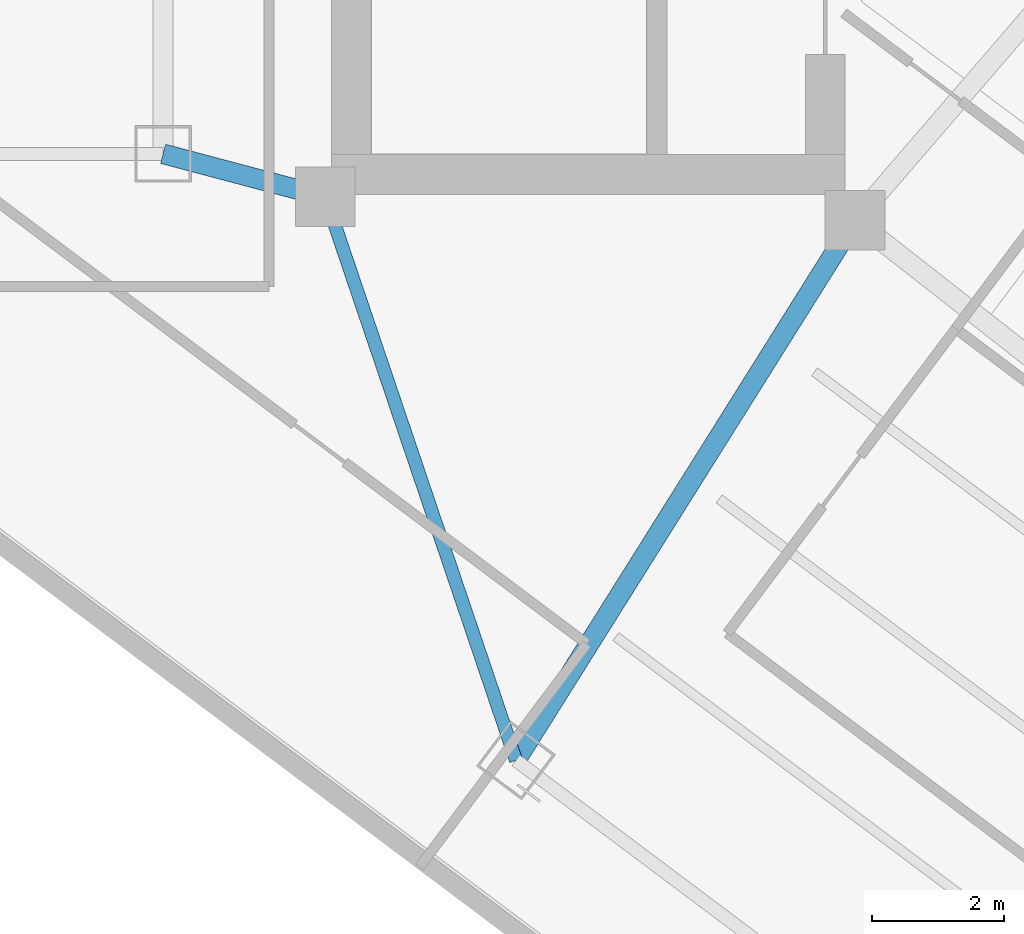
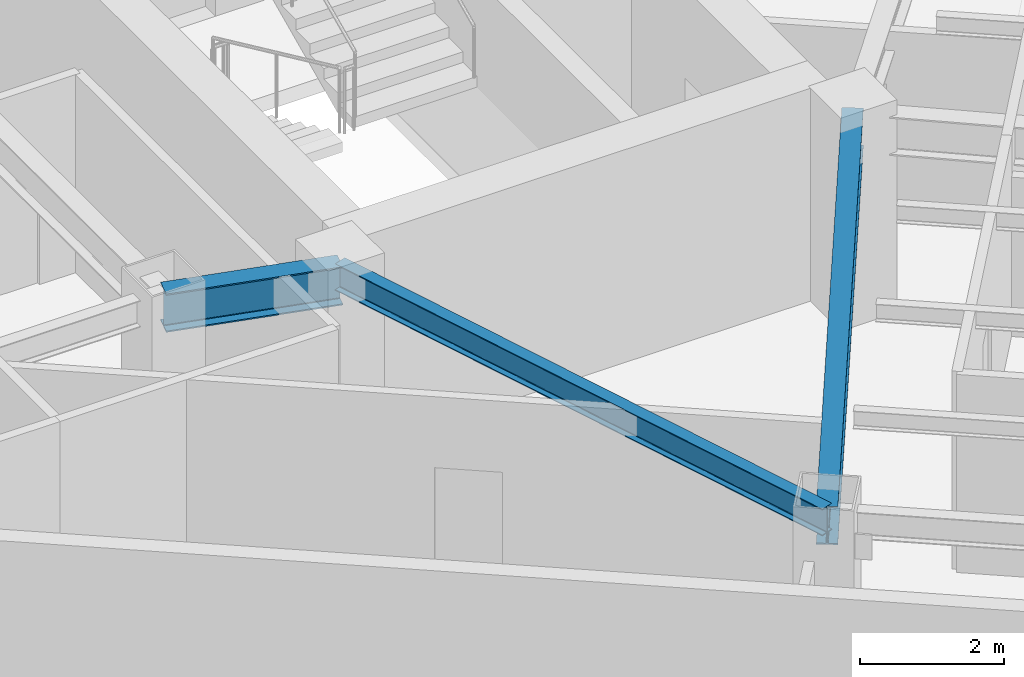
# One storey, part 3 of 27: 3 beams.
"""IFC4 building model written with IfcOpenShell, lengths in metres."""

from ifc_helpers import new_model, si_unit, direction, frame, origin, origin_2d, place, context, subcontext, project, spatial, i_section, extrude, material, material_profile, profile_set, type_object, element, save


model = new_model("IFC4")

# Units and contexts
model_context = context("Model", 3, precision=1e-05, world=origin(), true_north=direction((0.0, 1.0)))
body_context = subcontext(model_context, "Body", "Model", "MODEL_VIEW")
ifc_project = project(units=[si_unit("LENGTHUNIT", "METRE"), si_unit("AREAUNIT", "SQUARE_METRE"), si_unit("VOLUMEUNIT", "CUBIC_METRE"), si_unit("PLANEANGLEUNIT", "RADIAN"), si_unit("MASSUNIT", "GRAM", prefix="KILO")], contexts=[model_context])

# Site, building, storey
site_placement = place(None, origin())
site = spatial("IfcSite", under=ifc_project, at=site_placement, CompositionType="ELEMENT")
building_placement = place(site_placement, origin())
building = spatial("IfcBuilding", under=site, at=building_placement, Name="Hatsunagi Terrace Concourse", CompositionType="ELEMENT")
storey_placement = place(building_placement, frame((0.0, 0.0, 142.050048828125)))
storey = spatial("IfcBuildingStorey", under=building, at=storey_placement, Name="L37", CompositionType="ELEMENT", Elevation=142.050048828125)

# Beams
ifc_material_1 = material(Name="Steel SN490B", Category="steel")
ifc_material_profile_1 = material_profile(ifc_material_1, i_section(OverallWidth=0.300048828125, OverallDepth=0.64990234375, WebThickness=0.012939453125, FlangeThickness=0.02197265625, FilletRadius=0.01806640625, at=origin_2d()), Name="H-650x300x13x22")
ifc_profile_set_1 = profile_set([ifc_material_profile_1], Name="Steel SN490B")
beam_type_1 = type_object("IfcBeamType", Name="OfficeLowGirder_H_650x300", PredefinedType="BEAM", material=ifc_profile_set_1)
beam_1_placement = place(storey_placement, frame((33.35009765625, 25.199951171875, 3.02490234375), z_axis=(0.966569840116, -0.256403479262, 0.0), x_axis=(0.256403479262, 0.966569840116, 0.0)))
element("IfcBeam", 1, at=beam_1_placement, inside=storey, type_object=beam_type_1, Name="Beam G-05 BM-L37-K2CB", PredefinedType="BEAM", context=body_context, shape_type="SweptSolid", body=[
    extrude(i_section(OverallWidth=0.300048828125, OverallDepth=0.64990234375, WebThickness=0.012939453125, FlangeThickness=0.02197265625, FilletRadius=0.01806640625, at=origin_2d()), origin(), (0.0, 0.0, 1.0), 2.53466796875),
])
beam_2_placement = place(storey_placement, frame((38.679931640625, 16.0400390625, 3.02490234375), z_axis=(0.531503907049, 0.847055840421, 0.0), x_axis=(-0.847055840421, 0.531503907049, 0.0)))
element("IfcBeam", 2, at=beam_2_placement, inside=storey, type_object=beam_type_1, Name="Beam G-05 BM-L37-SET-1A", PredefinedType="BEAM", context=body_context, shape_type="SweptSolid", body=[
    extrude(i_section(OverallWidth=0.300048828125, OverallDepth=0.64990234375, WebThickness=0.012939453125, FlangeThickness=0.02197265625, FilletRadius=0.01806640625, at=origin_2d()), origin(), (0.0, 0.0, 1.0), 9.63330078125),
])
ifc_material_2 = material(Name="Steel SN490B", Category="steel")
ifc_material_profile_2 = material_profile(ifc_material_2, i_section(OverallWidth=0.199951171875, OverallDepth=0.449951171875, WebThickness=0.009033203125, FlangeThickness=0.013916015625, FilletRadius=0.01611328125, at=origin_2d()), Name="H-450x200x9x14")
ifc_profile_set_2 = profile_set([ifc_material_profile_2], Name="Steel SN490B")
beam_type_2 = type_object("IfcBeamType", Name="PerimeterSpandrel_H_450x200", PredefinedType="SPANDREL", material=ifc_profile_set_2)
beam_3_placement = place(storey_placement, frame((35.800048828125, 24.550048828125, 3.125), z_axis=(0.320553412271, -0.947230441805, 0.0), x_axis=(0.947230441805, 0.320553412271, 0.0)))
element("IfcBeam", 3, at=beam_3_placement, inside=storey, type_object=beam_type_2, Name="Beam SP-02 BM-L37-SE-SW0", PredefinedType="SPANDREL", context=body_context, shape_type="SweptSolid", body=[
    extrude(i_section(OverallWidth=0.199951171875, OverallDepth=0.449951171875, WebThickness=0.009033203125, FlangeThickness=0.013916015625, FilletRadius=0.01611328125, at=origin_2d()), origin(), (0.0, 0.0, 1.0), 8.984130859375),
])

save(model, "model.ifc")
